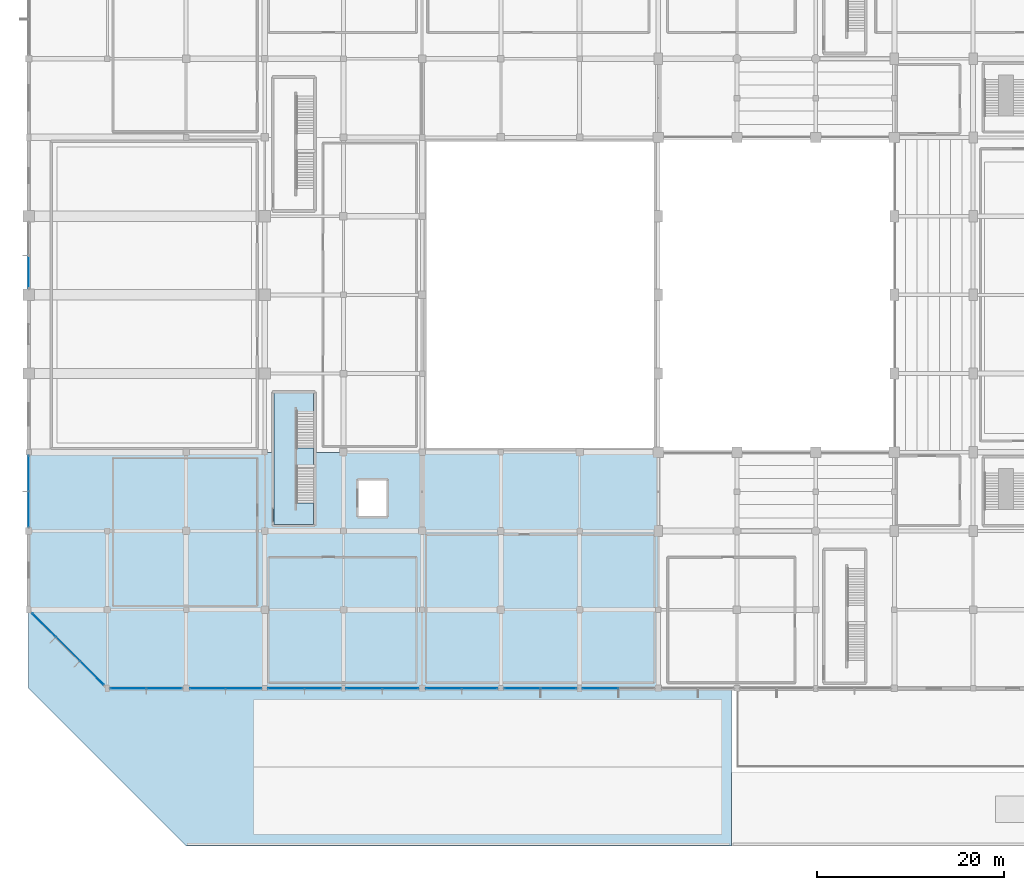
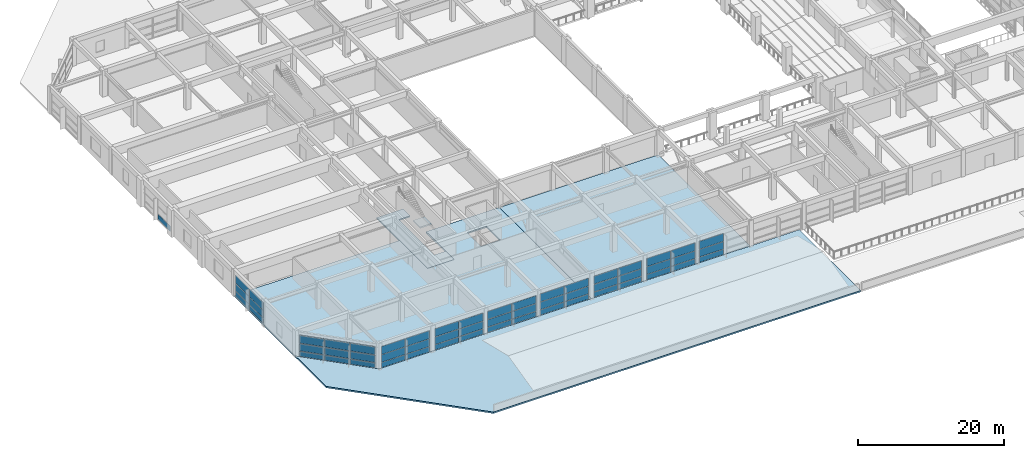
# One storey, part 36 of 60: 55 plates, 5 slabs, 11 elements without a shape of their own.
"""IFC4 building model written with IfcOpenShell, lengths in metres."""

from ifc_helpers import new_model, si_unit, direction, frame, origin, origin_2d, place, context, subcontext, project, spatial, polyline, rectangle, outline, extrude, material, layer, layer_set, type_object, element, aggregate, save


model = new_model("IFC4")

# Units and contexts
model_context = context("Model", 3, precision=1e-05, world=origin(), true_north=direction((0.0, 1.0)))
body_context = subcontext(model_context, "Body", "Model", "MODEL_VIEW")
ifc_project = project(units=[si_unit("LENGTHUNIT", "METRE"), si_unit("AREAUNIT", "SQUARE_METRE"), si_unit("VOLUMEUNIT", "CUBIC_METRE"), si_unit("PLANEANGLEUNIT", "RADIAN"), si_unit("MASSUNIT", "GRAM", prefix="KILO")], contexts=[model_context])

# Site, building, storey
site_placement = place(None, origin())
site = spatial("IfcSite", under=ifc_project, at=site_placement, CompositionType="ELEMENT")
building_placement = place(site_placement, origin())
building = spatial("IfcBuilding", under=site, at=building_placement, Name="Xuanlan Plaza Opera House", CompositionType="ELEMENT")
storey_placement = place(building_placement, frame((0.0, 0.0, 9.89990234375)))
storey = spatial("IfcBuildingStorey", under=building, at=storey_placement, Name="L02", CompositionType="ELEMENT", Elevation=9.89990234375)

# Curtain wall, plates
ifc_material_1 = material(Name="Anodised Aluminium 6063-T6 and Low-E Glass", Category="aluminium")
curtain_wall_type_1 = type_object("IfcCurtainWallType", Name="ENV-CW-CW-04", PredefinedType="USERDEFINED", material=ifc_material_1)
curtain_wall_1_placement = place(storey_placement, origin())
curtain_wall_1 = element("IfcCurtainWall", 1, at=curtain_wall_1_placement, inside=storey, type_object=curtain_wall_type_1, Name="Unitised Curtain Wall L02-004", ObjectType="UNITISED CURTAIN WALL", PredefinedType="USERDEFINED")
ifc_material_2 = material(Name="Laminated Acoustic Double Glazing", Category="glass")
ifc_layer_1 = layer(ifc_material_2, 0.028076171875)
ifc_layer_set_1 = layer_set([ifc_layer_1], Name="Laminated Acoustic Double Glazing")
plate_type_1 = type_object("IfcPlateType", Name="ENV-CWP-01", PredefinedType="CURTAIN_PANEL", material=ifc_layer_set_1)
plate_1_placement = place(storey_placement, frame((35.81005859375, 16.800048828125, 0.0703125), z_axis=(0.0, 0.0, 1.0), x_axis=(1.0, 0.0, 0.0)))
plate_1 = element("IfcPlate", 2, at=plate_1_placement, type_object=plate_type_1, Name="CW-04 panel 1.1", PredefinedType="CURTAIN_PANEL", context=body_context, shape_type="SweptSolid", body=[
    extrude(rectangle(XDim=3.780029296875, YDim=0.028076171875, at=origin_2d()), origin(), (0.0, 0.0, 1.0), 0.844970703125),
])
plate_2_placement = place(storey_placement, frame((35.81005859375, 16.800048828125, 0.985107421875), z_axis=(0.0, 0.0, 1.0), x_axis=(1.0, 0.0, 0.0)))
plate_2 = element("IfcPlate", 3, at=plate_2_placement, type_object=plate_type_1, Name="CW-04 panel 1.2", PredefinedType="CURTAIN_PANEL", context=body_context, shape_type="SweptSolid", body=[
    extrude(rectangle(XDim=3.780029296875, YDim=0.028076171875, at=origin_2d()), origin(), (0.0, 0.0, 1.0), 1.22998046875),
])
plate_3_placement = place(storey_placement, frame((35.81005859375, 16.800048828125, 2.28515625), z_axis=(0.0, 0.0, 1.0), x_axis=(1.0, 0.0, 0.0)))
plate_3 = element("IfcPlate", 4, at=plate_3_placement, type_object=plate_type_1, Name="CW-04 panel 1.3", PredefinedType="CURTAIN_PANEL", context=body_context, shape_type="SweptSolid", body=[
    extrude(rectangle(XDim=3.780029296875, YDim=0.028076171875, at=origin_2d()), origin(), (0.0, 0.0, 1.0), 1.324951171875),
])
plate_4_placement = place(storey_placement, frame((39.6650390625, 16.800048828125, 0.0703125), z_axis=(0.0, 0.0, 1.0), x_axis=(1.0, 0.0, 0.0)))
plate_4 = element("IfcPlate", 5, at=plate_4_placement, type_object=plate_type_1, Name="CW-04 panel 2.1", PredefinedType="CURTAIN_PANEL", context=body_context, shape_type="SweptSolid", body=[
    extrude(rectangle(XDim=3.780029296875, YDim=0.028076171875, at=origin_2d()), origin(), (0.0, 0.0, 1.0), 0.844970703125),
])
plate_5_placement = place(storey_placement, frame((39.6650390625, 16.800048828125, 0.985107421875), z_axis=(0.0, 0.0, 1.0), x_axis=(1.0, 0.0, 0.0)))
plate_5 = element("IfcPlate", 6, at=plate_5_placement, type_object=plate_type_1, Name="CW-04 panel 2.2", PredefinedType="CURTAIN_PANEL", context=body_context, shape_type="SweptSolid", body=[
    extrude(rectangle(XDim=3.780029296875, YDim=0.028076171875, at=origin_2d()), origin(), (0.0, 0.0, 1.0), 1.22998046875),
])
plate_6_placement = place(storey_placement, frame((39.6650390625, 16.800048828125, 2.28515625), z_axis=(0.0, 0.0, 1.0), x_axis=(1.0, 0.0, 0.0)))
plate_6 = element("IfcPlate", 7, at=plate_6_placement, type_object=plate_type_1, Name="CW-04 panel 2.3", PredefinedType="CURTAIN_PANEL", context=body_context, shape_type="SweptSolid", body=[
    extrude(rectangle(XDim=3.780029296875, YDim=0.028076171875, at=origin_2d()), origin(), (0.0, 0.0, 1.0), 1.324951171875),
])
aggregate(curtain_wall_1, [plate_1, plate_2, plate_3, plate_4, plate_5, plate_6])

curtain_wall_type_2 = type_object("IfcCurtainWallType", Name="ENV-CW-CW-02", PredefinedType="USERDEFINED", material=ifc_material_1)
curtain_wall_2_placement = place(storey_placement, origin())
curtain_wall_2 = element("IfcCurtainWall", 8, at=curtain_wall_2_placement, inside=storey, type_object=curtain_wall_type_2, Name="Unitised Curtain Wall L02-054", ObjectType="UNITISED CURTAIN WALL", PredefinedType="USERDEFINED")
plate_7_placement = place(storey_placement, frame((0.0, 39.733642578125, 0.0703125), z_axis=(0.0, 0.0, 1.0), x_axis=(0.0, -1.0, 0.0)))
plate_7 = element("IfcPlate", 9, at=plate_7_placement, type_object=plate_type_1, Name="CW-02 panel 1.1", PredefinedType="CURTAIN_PANEL", context=body_context, shape_type="SweptSolid", body=[
    extrude(rectangle(XDim=3.742431640625, YDim=0.028076171875, at=origin_2d()), origin(), (0.0, 0.0, 1.0), 0.844970703125),
])
plate_8_placement = place(storey_placement, frame((0.0, 39.733642578125, 0.985107421875), z_axis=(0.0, 0.0, 1.0), x_axis=(0.0, -1.0, 0.0)))
plate_8 = element("IfcPlate", 10, at=plate_8_placement, type_object=plate_type_1, Name="CW-02 panel 1.2", PredefinedType="CURTAIN_PANEL", context=body_context, shape_type="SweptSolid", body=[
    extrude(rectangle(XDim=3.742431640625, YDim=0.028076171875, at=origin_2d()), origin(), (0.0, 0.0, 1.0), 1.22998046875),
])
plate_9_placement = place(storey_placement, frame((0.0, 39.733642578125, 2.28515625), z_axis=(0.0, 0.0, 1.0), x_axis=(0.0, -1.0, 0.0)))
plate_9 = element("IfcPlate", 11, at=plate_9_placement, type_object=plate_type_1, Name="CW-02 panel 1.3", PredefinedType="CURTAIN_PANEL", context=body_context, shape_type="SweptSolid", body=[
    extrude(rectangle(XDim=3.742431640625, YDim=0.028076171875, at=origin_2d()), origin(), (0.0, 0.0, 1.0), 1.324951171875),
])
plate_10_placement = place(storey_placement, frame((0.0, 35.916259765625, 0.0703125), z_axis=(0.0, 0.0, 1.0), x_axis=(0.0, -1.0, 0.0)))
plate_10 = element("IfcPlate", 12, at=plate_10_placement, type_object=plate_type_1, Name="CW-02 panel 2.1", PredefinedType="CURTAIN_PANEL", context=body_context, shape_type="SweptSolid", body=[
    extrude(rectangle(XDim=3.742431640625, YDim=0.028076171875, at=origin_2d()), origin(), (0.0, 0.0, 1.0), 0.844970703125),
])
plate_11_placement = place(storey_placement, frame((0.0, 35.916259765625, 0.985107421875), z_axis=(0.0, 0.0, 1.0), x_axis=(0.0, -1.0, 0.0)))
plate_11 = element("IfcPlate", 13, at=plate_11_placement, type_object=plate_type_1, Name="CW-02 panel 2.2", PredefinedType="CURTAIN_PANEL", context=body_context, shape_type="SweptSolid", body=[
    extrude(rectangle(XDim=3.742431640625, YDim=0.028076171875, at=origin_2d()), origin(), (0.0, 0.0, 1.0), 1.22998046875),
])
plate_12_placement = place(storey_placement, frame((0.0, 35.916259765625, 2.28515625), z_axis=(0.0, 0.0, 1.0), x_axis=(0.0, -1.0, 0.0)))
plate_12 = element("IfcPlate", 14, at=plate_12_placement, type_object=plate_type_1, Name="CW-02 panel 2.3", PredefinedType="CURTAIN_PANEL", context=body_context, shape_type="SweptSolid", body=[
    extrude(rectangle(XDim=3.742431640625, YDim=0.028076171875, at=origin_2d()), origin(), (0.0, 0.0, 1.0), 1.324951171875),
])
aggregate(curtain_wall_2, [plate_7, plate_8, plate_9, plate_10, plate_11, plate_12])

curtain_wall_type_3 = type_object("IfcCurtainWallType", Name="ENV-CW-CW-01", PredefinedType="USERDEFINED", material=ifc_material_1)
curtain_wall_3_placement = place(storey_placement, origin())
curtain_wall_3 = element("IfcCurtainWall", 15, at=curtain_wall_3_placement, inside=storey, type_object=curtain_wall_type_3, Name="Unitised Curtain Wall L02-001", ObjectType="UNITISED CURTAIN WALL", PredefinedType="USERDEFINED")
ifc_layer_2 = layer(ifc_material_2, 0.031982421875)
ifc_layer_set_2 = layer_set([ifc_layer_2], Name="Laminated Acoustic Double Glazing")
plate_type_2 = type_object("IfcPlateType", Name="ENV-CWP-02", PredefinedType="CURTAIN_PANEL", material=ifc_layer_set_2)
plate_13_placement = place(storey_placement, frame((10.632568359375, 16.800048828125, 0.065185546875), z_axis=(0.0, 0.0, 1.0), x_axis=(1.0, 0.0, 0.0)))
plate_13 = element("IfcPlate", 16, at=plate_13_placement, type_object=plate_type_2, Name="CW-01 panel 1.1", PredefinedType="CURTAIN_PANEL", context=body_context, shape_type="SweptSolid", body=[
    extrude(rectangle(XDim=3.7451171875, YDim=0.031982421875, at=origin_2d()), origin(), (0.0, 0.0, 1.0), 0.8525390625),
])
plate_14_placement = place(storey_placement, frame((10.632568359375, 16.800048828125, 0.982421875), z_axis=(0.0, 0.0, 1.0), x_axis=(1.0, 0.0, 0.0)))
plate_14 = element("IfcPlate", 17, at=plate_14_placement, type_object=plate_type_2, Name="CW-01 panel 1.2", PredefinedType="CURTAIN_PANEL", context=body_context, shape_type="SweptSolid", body=[
    extrude(rectangle(XDim=3.7451171875, YDim=0.031982421875, at=origin_2d()), origin(), (0.0, 0.0, 1.0), 1.235107421875),
])
plate_15_placement = place(storey_placement, frame((10.632568359375, 16.800048828125, 2.282470703125), z_axis=(0.0, 0.0, 1.0), x_axis=(1.0, 0.0, 0.0)))
plate_15 = element("IfcPlate", 18, at=plate_15_placement, type_object=plate_type_2, Name="CW-01 panel 1.3", PredefinedType="CURTAIN_PANEL", context=body_context, shape_type="SweptSolid", body=[
    extrude(rectangle(XDim=3.7451171875, YDim=0.031982421875, at=origin_2d()), origin(), (0.0, 0.0, 1.0), 1.33251953125),
])
plate_16_placement = place(storey_placement, frame((14.467529296875, 16.800048828125, 0.065185546875), z_axis=(0.0, 0.0, 1.0), x_axis=(1.0, 0.0, 0.0)))
plate_16 = element("IfcPlate", 19, at=plate_16_placement, type_object=plate_type_2, Name="CW-01 panel 2.1", PredefinedType="CURTAIN_PANEL", context=body_context, shape_type="SweptSolid", body=[
    extrude(rectangle(XDim=3.7451171875, YDim=0.031982421875, at=origin_2d()), origin(), (0.0, 0.0, 1.0), 0.8525390625),
])
plate_17_placement = place(storey_placement, frame((14.467529296875, 16.800048828125, 0.982421875), z_axis=(0.0, 0.0, 1.0), x_axis=(1.0, 0.0, 0.0)))
plate_17 = element("IfcPlate", 20, at=plate_17_placement, type_object=plate_type_2, Name="CW-01 panel 2.2", PredefinedType="CURTAIN_PANEL", context=body_context, shape_type="SweptSolid", body=[
    extrude(rectangle(XDim=3.7451171875, YDim=0.031982421875, at=origin_2d()), origin(), (0.0, 0.0, 1.0), 1.235107421875),
])
plate_18_placement = place(storey_placement, frame((14.467529296875, 16.800048828125, 2.282470703125), z_axis=(0.0, 0.0, 1.0), x_axis=(1.0, 0.0, 0.0)))
plate_18 = element("IfcPlate", 21, at=plate_18_placement, type_object=plate_type_2, Name="CW-01 panel 2.3", PredefinedType="CURTAIN_PANEL", context=body_context, shape_type="SweptSolid", body=[
    extrude(rectangle(XDim=3.7451171875, YDim=0.031982421875, at=origin_2d()), origin(), (0.0, 0.0, 1.0), 1.33251953125),
])
aggregate(curtain_wall_3, [plate_13, plate_14, plate_15, plate_16, plate_17, plate_18])

curtain_wall_4_placement = place(storey_placement, origin())
curtain_wall_4 = element("IfcCurtainWall", 22, at=curtain_wall_4_placement, inside=storey, type_object=curtain_wall_type_2, Name="Unitised Curtain Wall L02-006", ObjectType="UNITISED CURTAIN WALL", PredefinedType="USERDEFINED")
plate_19_placement = place(storey_placement, frame((52.695068359375, 16.800048828125, 0.065185546875), z_axis=(0.0, 0.0, 1.0), x_axis=(1.0, 0.0, 0.0)))
plate_19 = element("IfcPlate", 23, at=plate_19_placement, type_object=plate_type_2, Name="CW-02 panel 1.1", PredefinedType="CURTAIN_PANEL", context=body_context, shape_type="SweptSolid", body=[
    extrude(rectangle(XDim=3.77001953125, YDim=0.031982421875, at=origin_2d()), origin(), (0.0, 0.0, 1.0), 0.8525390625),
])
plate_20_placement = place(storey_placement, frame((52.695068359375, 16.800048828125, 0.982421875), z_axis=(0.0, 0.0, 1.0), x_axis=(1.0, 0.0, 0.0)))
plate_20 = element("IfcPlate", 24, at=plate_20_placement, type_object=plate_type_2, Name="CW-02 panel 1.2", PredefinedType="CURTAIN_PANEL", context=body_context, shape_type="SweptSolid", body=[
    extrude(rectangle(XDim=3.77001953125, YDim=0.031982421875, at=origin_2d()), origin(), (0.0, 0.0, 1.0), 1.235107421875),
])
plate_21_placement = place(storey_placement, frame((52.695068359375, 16.800048828125, 2.282470703125), z_axis=(0.0, 0.0, 1.0), x_axis=(1.0, 0.0, 0.0)))
plate_21 = element("IfcPlate", 25, at=plate_21_placement, type_object=plate_type_2, Name="CW-02 panel 1.3", PredefinedType="CURTAIN_PANEL", context=body_context, shape_type="SweptSolid", body=[
    extrude(rectangle(XDim=3.77001953125, YDim=0.031982421875, at=origin_2d()), origin(), (0.0, 0.0, 1.0), 1.33251953125),
])
plate_22_placement = place(storey_placement, frame((56.554931640625, 16.800048828125, 0.065185546875), z_axis=(0.0, 0.0, 1.0), x_axis=(1.0, 0.0, 0.0)))
plate_22 = element("IfcPlate", 26, at=plate_22_placement, type_object=plate_type_2, Name="CW-02 panel 2.1", PredefinedType="CURTAIN_PANEL", context=body_context, shape_type="SweptSolid", body=[
    extrude(rectangle(XDim=3.77001953125, YDim=0.031982421875, at=origin_2d()), origin(), (0.0, 0.0, 1.0), 0.8525390625),
])
plate_23_placement = place(storey_placement, frame((56.554931640625, 16.800048828125, 0.982421875), z_axis=(0.0, 0.0, 1.0), x_axis=(1.0, 0.0, 0.0)))
plate_23 = element("IfcPlate", 27, at=plate_23_placement, type_object=plate_type_2, Name="CW-02 panel 2.2", PredefinedType="CURTAIN_PANEL", context=body_context, shape_type="SweptSolid", body=[
    extrude(rectangle(XDim=3.77001953125, YDim=0.031982421875, at=origin_2d()), origin(), (0.0, 0.0, 1.0), 1.235107421875),
])
plate_24_placement = place(storey_placement, frame((56.554931640625, 16.800048828125, 2.282470703125), z_axis=(0.0, 0.0, 1.0), x_axis=(1.0, 0.0, 0.0)))
plate_24 = element("IfcPlate", 28, at=plate_24_placement, type_object=plate_type_2, Name="CW-02 panel 2.3", PredefinedType="CURTAIN_PANEL", context=body_context, shape_type="SweptSolid", body=[
    extrude(rectangle(XDim=3.77001953125, YDim=0.031982421875, at=origin_2d()), origin(), (0.0, 0.0, 1.0), 1.33251953125),
])
aggregate(curtain_wall_4, [plate_19, plate_20, plate_21, plate_22, plate_23, plate_24])

# Curtain wall, plate
curtain_wall_type_4 = type_object("IfcCurtainWallType", Name="ENV-CW-CW-03", PredefinedType="USERDEFINED", material=ifc_material_1)
curtain_wall_5_placement = place(storey_placement, origin())
curtain_wall_5 = element("IfcCurtainWall", 29, at=curtain_wall_5_placement, inside=storey, type_object=curtain_wall_type_4, Name="Unitised Curtain Wall L02-051", ObjectType="UNITISED CURTAIN WALL", PredefinedType="USERDEFINED")
plate_25_placement = place(storey_placement, frame((0.0, 61.232421875, 0.065185546875), z_axis=(0.0, 0.0, 1.0), x_axis=(0.0, -1.0, 0.0)))
plate_25 = element("IfcPlate", 30, at=plate_25_placement, type_object=plate_type_2, Name="CW-03 panel 2.1", PredefinedType="CURTAIN_PANEL", context=body_context, shape_type="SweptSolid", body=[
    extrude(rectangle(XDim=3.445068359375, YDim=0.031982421875, at=origin_2d()), origin(), (0.0, 0.0, 1.0), 0.8525390625),
])
aggregate(curtain_wall_5, [plate_25])

# Curtain wall, plates
curtain_wall_6_placement = place(storey_placement, origin())
curtain_wall_6 = element("IfcCurtainWall", 31, at=curtain_wall_6_placement, inside=storey, type_object=curtain_wall_type_1, Name="Unitised Curtain Wall L02-056", ObjectType="UNITISED CURTAIN WALL", PredefinedType="USERDEFINED")
plate_26_placement = place(storey_placement, frame((1.648681640625, 23.551513671875, 0.065185546875), z_axis=(0.0, 0.0, 1.0), x_axis=(0.707106781187, -0.707106781187, 0.0)))
plate_26 = element("IfcPlate", 32, at=plate_26_placement, type_object=plate_type_2, Name="CW-04 panel 1.1", PredefinedType="CURTAIN_PANEL", context=body_context, shape_type="SweptSolid", body=[
    extrude(rectangle(XDim=3.495849609375, YDim=0.031982421875, at=origin_2d()), origin(), (0.0, 0.0, 1.0), 0.8525390625),
])
plate_27_placement = place(storey_placement, frame((1.648681640625, 23.551513671875, 0.982421875), z_axis=(0.0, 0.0, 1.0), x_axis=(0.707106781187, -0.707106781187, 0.0)))
plate_27 = element("IfcPlate", 33, at=plate_27_placement, type_object=plate_type_2, Name="CW-04 panel 1.2", PredefinedType="CURTAIN_PANEL", context=body_context, shape_type="SweptSolid", body=[
    extrude(rectangle(XDim=3.495849609375, YDim=0.031982421875, at=origin_2d()), origin(), (0.0, 0.0, 1.0), 1.235107421875),
])
plate_28_placement = place(storey_placement, frame((1.648681640625, 23.551513671875, 2.282470703125), z_axis=(0.0, 0.0, 1.0), x_axis=(0.707106781187, -0.707106781187, 0.0)))
plate_28 = element("IfcPlate", 34, at=plate_28_placement, type_object=plate_type_2, Name="CW-04 panel 1.3", PredefinedType="CURTAIN_PANEL", context=body_context, shape_type="SweptSolid", body=[
    extrude(rectangle(XDim=3.495849609375, YDim=0.031982421875, at=origin_2d()), origin(), (0.0, 0.0, 1.0), 1.33251953125),
])
plate_29_placement = place(storey_placement, frame((4.199951171875, 21.0, 0.065185546875), z_axis=(0.0, 0.0, 1.0), x_axis=(0.707106781187, -0.707106781187, 0.0)))
plate_29 = element("IfcPlate", 35, at=plate_29_placement, type_object=plate_type_2, Name="CW-04 panel 2.1", PredefinedType="CURTAIN_PANEL", context=body_context, shape_type="SweptSolid", body=[
    extrude(rectangle(XDim=3.540771484375, YDim=0.031982421875, at=origin_2d()), origin(), (0.0, 0.0, 1.0), 0.8525390625),
])
plate_30_placement = place(storey_placement, frame((4.199951171875, 21.0, 0.982421875), z_axis=(0.0, 0.0, 1.0), x_axis=(0.707106781187, -0.707106781187, 0.0)))
plate_30 = element("IfcPlate", 36, at=plate_30_placement, type_object=plate_type_2, Name="CW-04 panel 2.2", PredefinedType="CURTAIN_PANEL", context=body_context, shape_type="SweptSolid", body=[
    extrude(rectangle(XDim=3.540771484375, YDim=0.031982421875, at=origin_2d()), origin(), (0.0, 0.0, 1.0), 1.235107421875),
])
plate_31_placement = place(storey_placement, frame((4.199951171875, 21.0, 2.282470703125), z_axis=(0.0, 0.0, 1.0), x_axis=(0.707106781187, -0.707106781187, 0.0)))
plate_31 = element("IfcPlate", 37, at=plate_31_placement, type_object=plate_type_2, Name="CW-04 panel 2.3", PredefinedType="CURTAIN_PANEL", context=body_context, shape_type="SweptSolid", body=[
    extrude(rectangle(XDim=3.540771484375, YDim=0.031982421875, at=origin_2d()), origin(), (0.0, 0.0, 1.0), 1.33251953125),
])
plate_32_placement = place(storey_placement, frame((6.75146484375, 18.448486328125, 0.065185546875), z_axis=(0.0, 0.0, 1.0), x_axis=(0.707106781187, -0.707106781187, 0.0)))
plate_32 = element("IfcPlate", 38, at=plate_32_placement, type_object=plate_type_2, Name="CW-04 panel 3.1", PredefinedType="CURTAIN_PANEL", context=body_context, shape_type="SweptSolid", body=[
    extrude(rectangle(XDim=3.495849609375, YDim=0.031982421875, at=origin_2d()), origin(), (0.0, 0.0, 1.0), 0.8525390625),
])
plate_33_placement = place(storey_placement, frame((6.75146484375, 18.448486328125, 0.982421875), z_axis=(0.0, 0.0, 1.0), x_axis=(0.707106781187, -0.707106781187, 0.0)))
plate_33 = element("IfcPlate", 39, at=plate_33_placement, type_object=plate_type_2, Name="CW-04 panel 3.2", PredefinedType="CURTAIN_PANEL", context=body_context, shape_type="SweptSolid", body=[
    extrude(rectangle(XDim=3.495849609375, YDim=0.031982421875, at=origin_2d()), origin(), (0.0, 0.0, 1.0), 1.235107421875),
])
plate_34_placement = place(storey_placement, frame((6.75146484375, 18.448486328125, 2.282470703125), z_axis=(0.0, 0.0, 1.0), x_axis=(0.707106781187, -0.707106781187, 0.0)))
plate_34 = element("IfcPlate", 40, at=plate_34_placement, type_object=plate_type_2, Name="CW-04 panel 3.3", PredefinedType="CURTAIN_PANEL", context=body_context, shape_type="SweptSolid", body=[
    extrude(rectangle(XDim=3.495849609375, YDim=0.031982421875, at=origin_2d()), origin(), (0.0, 0.0, 1.0), 1.33251953125),
])
aggregate(curtain_wall_6, [plate_26, plate_27, plate_28, plate_29, plate_30, plate_31, plate_32, plate_33, plate_34])

curtain_wall_7_placement = place(storey_placement, origin())
curtain_wall_7 = element("IfcCurtainWall", 41, at=curtain_wall_7_placement, inside=storey, type_object=curtain_wall_type_4, Name="Unitised Curtain Wall L02-003", ObjectType="UNITISED CURTAIN WALL", PredefinedType="USERDEFINED")
ifc_layer_3 = layer(ifc_material_2, 0.035888671875)
ifc_layer_set_3 = layer_set([ifc_layer_3], Name="Laminated Acoustic Double Glazing")
plate_type_3 = type_object("IfcPlateType", Name="ENV-CWP-03", PredefinedType="CURTAIN_PANEL", material=ifc_layer_set_3)
plate_35_placement = place(storey_placement, frame((27.496337890625, 16.800048828125, 0.090087890625), z_axis=(0.0, 0.0, 1.0), x_axis=(1.0, 0.0, 0.0)))
plate_35 = element("IfcPlate", 42, at=plate_35_placement, type_object=plate_type_3, Name="CW-03 panel 1.1", PredefinedType="CURTAIN_PANEL", context=body_context, shape_type="SweptSolid", body=[
    extrude(rectangle(XDim=3.8125, YDim=0.035888671875, at=origin_2d()), origin(), (0.0, 0.0, 1.0), 0.81494140625),
])
plate_36_placement = place(storey_placement, frame((27.496337890625, 16.800048828125, 0.9951171875), z_axis=(0.0, 0.0, 1.0), x_axis=(1.0, 0.0, 0.0)))
plate_36 = element("IfcPlate", 43, at=plate_36_placement, type_object=plate_type_3, Name="CW-03 panel 1.2", PredefinedType="CURTAIN_PANEL", context=body_context, shape_type="SweptSolid", body=[
    extrude(rectangle(XDim=3.8125, YDim=0.035888671875, at=origin_2d()), origin(), (0.0, 0.0, 1.0), 1.2099609375),
])
plate_37_placement = place(storey_placement, frame((27.496337890625, 16.800048828125, 2.295166015625), z_axis=(0.0, 0.0, 1.0), x_axis=(1.0, 0.0, 0.0)))
plate_37 = element("IfcPlate", 44, at=plate_37_placement, type_object=plate_type_3, Name="CW-03 panel 1.3", PredefinedType="CURTAIN_PANEL", context=body_context, shape_type="SweptSolid", body=[
    extrude(rectangle(XDim=3.8125, YDim=0.035888671875, at=origin_2d()), origin(), (0.0, 0.0, 1.0), 1.294921875),
])
plate_38_placement = place(storey_placement, frame((31.378662109375, 16.800048828125, 0.090087890625), z_axis=(0.0, 0.0, 1.0), x_axis=(1.0, 0.0, 0.0)))
plate_38 = element("IfcPlate", 45, at=plate_38_placement, type_object=plate_type_3, Name="CW-03 panel 2.1", PredefinedType="CURTAIN_PANEL", context=body_context, shape_type="SweptSolid", body=[
    extrude(rectangle(XDim=3.8125, YDim=0.035888671875, at=origin_2d()), origin(), (0.0, 0.0, 1.0), 0.81494140625),
])
plate_39_placement = place(storey_placement, frame((31.378662109375, 16.800048828125, 0.9951171875), z_axis=(0.0, 0.0, 1.0), x_axis=(1.0, 0.0, 0.0)))
plate_39 = element("IfcPlate", 46, at=plate_39_placement, type_object=plate_type_3, Name="CW-03 panel 2.2", PredefinedType="CURTAIN_PANEL", context=body_context, shape_type="SweptSolid", body=[
    extrude(rectangle(XDim=3.8125, YDim=0.035888671875, at=origin_2d()), origin(), (0.0, 0.0, 1.0), 1.2099609375),
])
plate_40_placement = place(storey_placement, frame((31.378662109375, 16.800048828125, 2.295166015625), z_axis=(0.0, 0.0, 1.0), x_axis=(1.0, 0.0, 0.0)))
plate_40 = element("IfcPlate", 47, at=plate_40_placement, type_object=plate_type_3, Name="CW-03 panel 2.3", PredefinedType="CURTAIN_PANEL", context=body_context, shape_type="SweptSolid", body=[
    extrude(rectangle(XDim=3.8125, YDim=0.035888671875, at=origin_2d()), origin(), (0.0, 0.0, 1.0), 1.294921875),
])
aggregate(curtain_wall_7, [plate_35, plate_36, plate_37, plate_38, plate_39, plate_40])

curtain_wall_8_placement = place(storey_placement, origin())
curtain_wall_8 = element("IfcCurtainWall", 48, at=curtain_wall_8_placement, inside=storey, type_object=curtain_wall_type_3, Name="Unitised Curtain Wall L02-005", ObjectType="UNITISED CURTAIN WALL", PredefinedType="USERDEFINED")
ifc_layer_4 = layer(ifc_material_2, 0.0400390625)
ifc_layer_set_4 = layer_set([ifc_layer_4], Name="Laminated Acoustic Double Glazing")
plate_type_4 = type_object("IfcPlateType", Name="ENV-CWP-04", PredefinedType="CURTAIN_PANEL", material=ifc_layer_set_4)
plate_41_placement = place(storey_placement, frame((44.3173828125, 16.800048828125, 0.080078125), z_axis=(0.0, 0.0, 1.0), x_axis=(1.0, 0.0, 0.0)))
plate_41 = element("IfcPlate", 49, at=plate_41_placement, type_object=plate_type_4, Name="CW-01 panel 1.1", PredefinedType="CURTAIN_PANEL", context=body_context, shape_type="SweptSolid", body=[
    extrude(rectangle(XDim=3.735107421875, YDim=0.0400390625, at=origin_2d()), origin(), (0.0, 0.0, 1.0), 0.830078125),
])
plate_42_placement = place(storey_placement, frame((44.3173828125, 16.800048828125, 0.990234375), z_axis=(0.0, 0.0, 1.0), x_axis=(1.0, 0.0, 0.0)))
plate_42 = element("IfcPlate", 50, at=plate_42_placement, type_object=plate_type_4, Name="CW-01 panel 1.2", PredefinedType="CURTAIN_PANEL", context=body_context, shape_type="SweptSolid", body=[
    extrude(rectangle(XDim=3.735107421875, YDim=0.0400390625, at=origin_2d()), origin(), (0.0, 0.0, 1.0), 1.219970703125),
])
plate_43_placement = place(storey_placement, frame((44.3173828125, 16.800048828125, 2.2900390625), z_axis=(0.0, 0.0, 1.0), x_axis=(1.0, 0.0, 0.0)))
plate_43 = element("IfcPlate", 51, at=plate_43_placement, type_object=plate_type_4, Name="CW-01 panel 1.3", PredefinedType="CURTAIN_PANEL", context=body_context, shape_type="SweptSolid", body=[
    extrude(rectangle(XDim=3.735107421875, YDim=0.0400390625, at=origin_2d()), origin(), (0.0, 0.0, 1.0), 1.31005859375),
])
plate_44_placement = place(storey_placement, frame((48.132568359375, 16.800048828125, 0.080078125), z_axis=(0.0, 0.0, 1.0), x_axis=(1.0, 0.0, 0.0)))
plate_44 = element("IfcPlate", 52, at=plate_44_placement, type_object=plate_type_4, Name="CW-01 panel 2.1", PredefinedType="CURTAIN_PANEL", context=body_context, shape_type="SweptSolid", body=[
    extrude(rectangle(XDim=3.735107421875, YDim=0.0400390625, at=origin_2d()), origin(), (0.0, 0.0, 1.0), 0.830078125),
])
plate_45_placement = place(storey_placement, frame((48.132568359375, 16.800048828125, 0.990234375), z_axis=(0.0, 0.0, 1.0), x_axis=(1.0, 0.0, 0.0)))
plate_45 = element("IfcPlate", 53, at=plate_45_placement, type_object=plate_type_4, Name="CW-01 panel 2.2", PredefinedType="CURTAIN_PANEL", context=body_context, shape_type="SweptSolid", body=[
    extrude(rectangle(XDim=3.735107421875, YDim=0.0400390625, at=origin_2d()), origin(), (0.0, 0.0, 1.0), 1.219970703125),
])
plate_46_placement = place(storey_placement, frame((48.132568359375, 16.800048828125, 2.2900390625), z_axis=(0.0, 0.0, 1.0), x_axis=(1.0, 0.0, 0.0)))
plate_46 = element("IfcPlate", 54, at=plate_46_placement, type_object=plate_type_4, Name="CW-01 panel 2.3", PredefinedType="CURTAIN_PANEL", context=body_context, shape_type="SweptSolid", body=[
    extrude(rectangle(XDim=3.735107421875, YDim=0.0400390625, at=origin_2d()), origin(), (0.0, 0.0, 1.0), 1.31005859375),
])
aggregate(curtain_wall_8, [plate_41, plate_42, plate_43, plate_44, plate_45, plate_46])

curtain_wall_9_placement = place(storey_placement, origin())
curtain_wall_9 = element("IfcCurtainWall", 55, at=curtain_wall_9_placement, inside=storey, type_object=curtain_wall_type_2, Name="Unitised Curtain Wall L02-002", ObjectType="UNITISED CURTAIN WALL", PredefinedType="USERDEFINED")
ifc_layer_5 = layer(ifc_material_2, 0.0439453125)
ifc_layer_set_5 = layer_set([ifc_layer_5], Name="Laminated Acoustic Double Glazing")
plate_type_5 = type_object("IfcPlateType", Name="ENV-CWP-05", PredefinedType="CURTAIN_PANEL", material=ifc_layer_set_5)
plate_47_placement = place(storey_placement, frame((19.11376953125, 16.800048828125, 0.0751953125), z_axis=(0.0, 0.0, 1.0), x_axis=(1.0, 0.0, 0.0)))
plate_47 = element("IfcPlate", 56, at=plate_47_placement, type_object=plate_type_5, Name="CW-02 panel 1.1", PredefinedType="CURTAIN_PANEL", context=body_context, shape_type="SweptSolid", body=[
    extrude(rectangle(XDim=3.757568359375, YDim=0.0439453125, at=origin_2d()), origin(), (0.0, 0.0, 1.0), 0.83740234375),
])
plate_48_placement = place(storey_placement, frame((19.11376953125, 16.800048828125, 0.987548828125), z_axis=(0.0, 0.0, 1.0), x_axis=(1.0, 0.0, 0.0)))
plate_48 = element("IfcPlate", 57, at=plate_48_placement, type_object=plate_type_5, Name="CW-02 panel 1.2", PredefinedType="CURTAIN_PANEL", context=body_context, shape_type="SweptSolid", body=[
    extrude(rectangle(XDim=3.757568359375, YDim=0.0439453125, at=origin_2d()), origin(), (0.0, 0.0, 1.0), 1.22509765625),
])
plate_49_placement = place(storey_placement, frame((19.11376953125, 16.800048828125, 2.28759765625), z_axis=(0.0, 0.0, 1.0), x_axis=(1.0, 0.0, 0.0)))
plate_49 = element("IfcPlate", 58, at=plate_49_placement, type_object=plate_type_5, Name="CW-02 panel 1.3", PredefinedType="CURTAIN_PANEL", context=body_context, shape_type="SweptSolid", body=[
    extrude(rectangle(XDim=3.757568359375, YDim=0.0439453125, at=origin_2d()), origin(), (0.0, 0.0, 1.0), 1.3173828125),
])
plate_50_placement = place(storey_placement, frame((22.936279296875, 16.800048828125, 0.0751953125), z_axis=(0.0, 0.0, 1.0), x_axis=(1.0, 0.0, 0.0)))
plate_50 = element("IfcPlate", 59, at=plate_50_placement, type_object=plate_type_5, Name="CW-02 panel 2.1", PredefinedType="CURTAIN_PANEL", context=body_context, shape_type="SweptSolid", body=[
    extrude(rectangle(XDim=3.757568359375, YDim=0.0439453125, at=origin_2d()), origin(), (0.0, 0.0, 1.0), 0.83740234375),
])
plate_51_placement = place(storey_placement, frame((22.936279296875, 16.800048828125, 0.987548828125), z_axis=(0.0, 0.0, 1.0), x_axis=(1.0, 0.0, 0.0)))
plate_51 = element("IfcPlate", 60, at=plate_51_placement, type_object=plate_type_5, Name="CW-02 panel 2.2", PredefinedType="CURTAIN_PANEL", context=body_context, shape_type="SweptSolid", body=[
    extrude(rectangle(XDim=3.757568359375, YDim=0.0439453125, at=origin_2d()), origin(), (0.0, 0.0, 1.0), 1.22509765625),
])
plate_52_placement = place(storey_placement, frame((22.936279296875, 16.800048828125, 2.28759765625), z_axis=(0.0, 0.0, 1.0), x_axis=(1.0, 0.0, 0.0)))
plate_52 = element("IfcPlate", 61, at=plate_52_placement, type_object=plate_type_5, Name="CW-02 panel 2.3", PredefinedType="CURTAIN_PANEL", context=body_context, shape_type="SweptSolid", body=[
    extrude(rectangle(XDim=3.757568359375, YDim=0.0439453125, at=origin_2d()), origin(), (0.0, 0.0, 1.0), 1.3173828125),
])
aggregate(curtain_wall_9, [plate_47, plate_48, plate_49, plate_50, plate_51, plate_52])

curtain_wall_type_5 = type_object("IfcCurtainWallType", Name="ENV-CW-CW-06", PredefinedType="USERDEFINED", material=ifc_material_1)
curtain_wall_10_placement = place(storey_placement, origin())
curtain_wall_10 = element("IfcCurtainWall", 62, at=curtain_wall_10_placement, inside=storey, type_object=curtain_wall_type_5, Name="Acoustic Glazed Wall L02-007", ObjectType="ACOUSTIC GLAZED WALL", PredefinedType="USERDEFINED")
plate_53_placement = place(storey_placement, frame((61.0263671875, 16.800048828125, 0.0751953125), z_axis=(0.0, 0.0, 1.0), x_axis=(1.0, 0.0, 0.0)))
plate_53 = element("IfcPlate", 63, at=plate_53_placement, type_object=plate_type_5, Name="CW-06 panel 1.1", PredefinedType="CURTAIN_PANEL", context=body_context, shape_type="SweptSolid", body=[
    extrude(rectangle(XDim=3.782470703125, YDim=0.0439453125, at=origin_2d()), origin(), (0.0, 0.0, 1.0), 0.83740234375),
])
plate_54_placement = place(storey_placement, frame((61.0263671875, 16.800048828125, 0.987548828125), z_axis=(0.0, 0.0, 1.0), x_axis=(1.0, 0.0, 0.0)))
plate_54 = element("IfcPlate", 64, at=plate_54_placement, type_object=plate_type_5, Name="CW-06 panel 1.2", PredefinedType="CURTAIN_PANEL", context=body_context, shape_type="SweptSolid", body=[
    extrude(rectangle(XDim=3.782470703125, YDim=0.0439453125, at=origin_2d()), origin(), (0.0, 0.0, 1.0), 1.22509765625),
])
plate_55_placement = place(storey_placement, frame((61.0263671875, 16.800048828125, 2.28759765625), z_axis=(0.0, 0.0, 1.0), x_axis=(1.0, 0.0, 0.0)))
plate_55 = element("IfcPlate", 65, at=plate_55_placement, type_object=plate_type_5, Name="CW-06 panel 1.3", PredefinedType="CURTAIN_PANEL", context=body_context, shape_type="SweptSolid", body=[
    extrude(rectangle(XDim=3.782470703125, YDim=0.0439453125, at=origin_2d()), origin(), (0.0, 0.0, 1.0), 1.3173828125),
])
aggregate(curtain_wall_10, [plate_53, plate_54, plate_55])

# Stair, slabs
ifc_material_3 = material(Name="Concrete C40", Category="concrete")
stair_type = type_object("IfcStairType", Name="INT-ST-STR-P180", PredefinedType="STRAIGHT_RUN_STAIR", material=ifc_material_3)
stair_placement = place(storey_placement, origin())
stair = element("IfcStair", 66, at=stair_placement, inside=storey, type_object=stair_type, Name="Protected Exit Stair ST-P1 L02", PredefinedType="STRAIGHT_RUN_STAIR")
ifc_layer_6 = layer(ifc_material_3, 0.199951171875)
ifc_layer_set_6 = layer_set([ifc_layer_6], Name="Concrete C40")
slab_type_1 = type_object("IfcSlabType", Name="INT-SLB-LND-20", PredefinedType="LANDING", material=ifc_layer_set_6)
slab_1_placement = place(storey_placement, frame((0.0, 0.0, 2.050048828125)))
slab_1 = element("IfcSlab", 67, at=slab_1_placement, type_object=slab_type_1, Name="ST-P1-L02 landing 1", PredefinedType="LANDING", context=body_context, shape_type="SweptSolid", body=[
    extrude(outline(polyline([(28.60009765625, 40.534912109375), (30.39990234375, 40.534912109375), (30.39990234375, 42.43505859375), (28.60009765625, 42.43505859375), (28.60009765625, 40.534912109375)])), origin(), (0.0, 0.0, 1.0), 0.199951171875),
])
slab_2_placement = place(storey_placement, frame((0.0, 0.0, -0.199951171875)))
slab_2 = element("IfcSlab", 68, at=slab_2_placement, type_object=slab_type_1, Name="ST-P1-L02 landing 2", PredefinedType="LANDING", context=body_context, shape_type="SweptSolid", body=[
    extrude(outline(polyline([(26.199951171875, 34.300048828125), (30.39990234375, 34.300048828125), (30.39990234375, 36.594970703125), (28.60009765625, 36.594970703125), (28.60009765625, 46.375), (30.39990234375, 46.375), (30.39990234375, 48.300048828125), (26.199951171875, 48.300048828125), (26.199951171875, 34.300048828125)])), origin(), (0.0, 0.0, 1.0), 0.199951171875),
])
aggregate(stair, [slab_1, slab_2])

# Slabs
ifc_layer_7 = layer(ifc_material_3, 0.25)
ifc_layer_set_7 = layer_set([ifc_layer_7], Name="Concrete C40")
slab_type_2 = type_object("IfcSlabType", Name="STR-SLB-RF-01", PredefinedType="ROOF", material=ifc_layer_set_7)
slab_3_placement = place(storey_placement, frame((0.0, 0.0, -0.25)))
element("IfcSlab", 69, at=slab_3_placement, inside=storey, type_object=slab_type_2, Name="South-West Podium Arcade Roof Slab", PredefinedType="ROOF", context=body_context, shape_type="SweptSolid", body=[
    extrude(outline(polyline([(16.800048828125, 0.0), (75.0, 0.0), (75.0, 16.800048828125), (8.39990234375, 16.800048828125), (0.0, 25.199951171875), (0.0, 16.800048828125), (16.800048828125, 0.0)])), origin(), (0.0, 0.0, 1.0), 0.25),
])
ifc_layer_8 = layer(ifc_material_3, 0.260009765625)
ifc_layer_set_8 = layer_set([ifc_layer_8], Name="Concrete C40")
slab_type_3 = type_object("IfcSlabType", Name="STR-SLB-SL-02", PredefinedType="FLOOR", material=ifc_layer_set_8)
slab_4_placement = place(storey_placement, frame((0.0, 0.0, -0.260009765625)))
element("IfcSlab", 70, at=slab_4_placement, inside=storey, type_object=slab_type_3, Name="Storey L02 Structural Floor Slab Zone 01", PredefinedType="FLOOR", context=body_context, shape_type="SweptSolid", body=[
    extrude(outline(polyline([(8.39990234375, 16.800048828125), (0.0, 25.199951171875), (0.0, 42.0), (26.199951171875, 42.0), (26.199951171875, 34.300048828125), (30.39990234375, 34.300048828125), (30.39990234375, 42.0), (42.0, 42.0), (42.0, 16.800048828125), (8.39990234375, 16.800048828125)]), holes=[polyline([(38.199951171875, 35.199951171875), (38.199951171875, 39.0), (35.199951171875, 39.0), (35.199951171875, 35.199951171875), (38.199951171875, 35.199951171875)])]), origin(), (0.0, 0.0, 1.0), 0.260009765625),
])
slab_5_placement = place(storey_placement, frame((0.0, 0.0, -0.260009765625)))
element("IfcSlab", 71, at=slab_5_placement, inside=storey, type_object=slab_type_3, Name="Storey L02 Structural Floor Slab Zone 04", PredefinedType="FLOOR", context=body_context, shape_type="SweptSolid", body=[
    extrude(outline(polyline([(42.0, 16.800048828125), (42.0, 42.0), (67.199951171875, 42.0), (67.199951171875, 16.800048828125), (42.0, 16.800048828125)])), origin(), (0.0, 0.0, 1.0), 0.260009765625),
])

save(model, "model.ifc")
